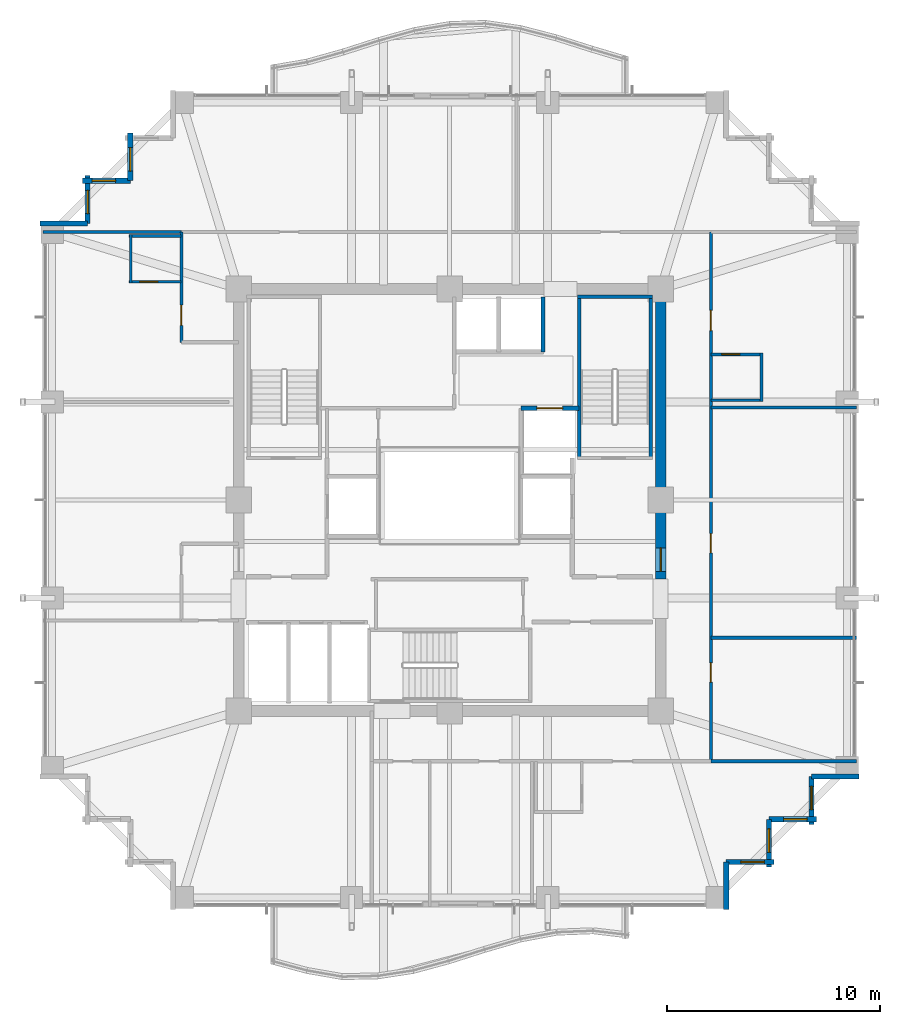
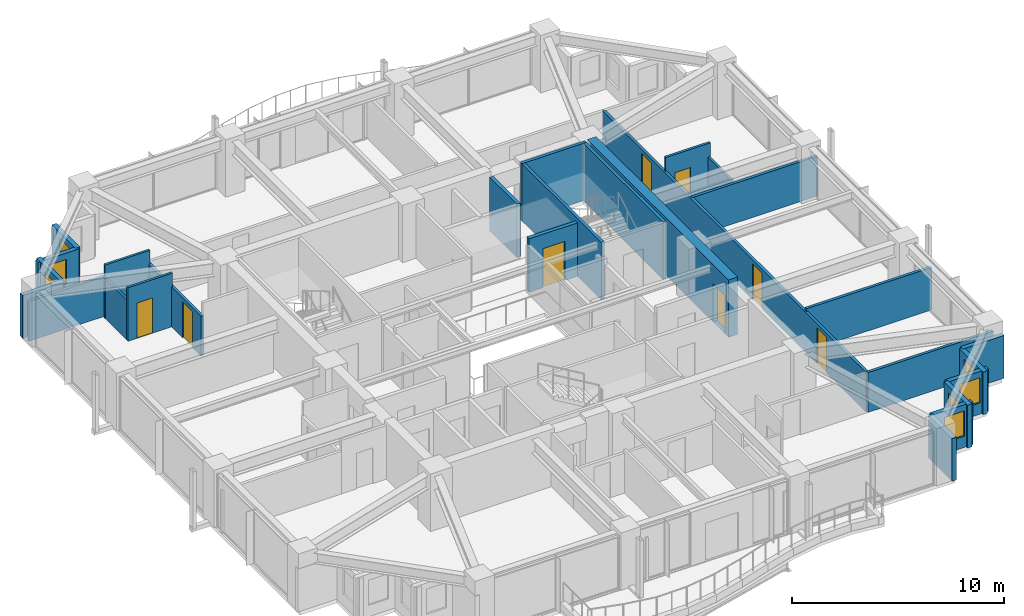
# One storey, part 27 of 31: 28 walls, 8 doors, 7 windows, 15 openings.
"""IFC4 building model written with IfcOpenShell, lengths in metres."""

from ifc_helpers import new_model, si_unit, direction, frame, frame_2d, origin, place, context, subcontext, project, spatial, rectangle, extrude, material, layer, layer_set, type_object, element, fill, save


model = new_model("IFC4")

# Units and contexts
model_context = context("Model", 3, precision=1e-05, world=origin(), true_north=direction((0.0, 1.0)))
body_context = subcontext(model_context, "Body", "Model", "MODEL_VIEW")
ifc_project = project(units=[si_unit("LENGTHUNIT", "METRE"), si_unit("AREAUNIT", "SQUARE_METRE"), si_unit("VOLUMEUNIT", "CUBIC_METRE"), si_unit("PLANEANGLEUNIT", "RADIAN"), si_unit("MASSUNIT", "GRAM", prefix="KILO")], contexts=[model_context])

# Site, building, storey
site_placement = place(None, origin())
site = spatial("IfcSite", under=ifc_project, at=site_placement, CompositionType="ELEMENT")
building_placement = place(site_placement, origin())
building = spatial("IfcBuilding", under=site, at=building_placement, Name="Kolvaren Belvedere", CompositionType="ELEMENT")
storey_placement = place(building_placement, frame((0.0, 0.0, 118.39990234375)))
storey = spatial("IfcBuildingStorey", under=building, at=storey_placement, Name="L34", CompositionType="ELEMENT", Elevation=118.39990234375)

# Wall, opening, door
ifc_material_1 = material(Name="Concrete C50/60", Category="concrete")
ifc_layer_1 = layer(ifc_material_1, 0.5)
ifc_layer_set_1 = layer_set([ifc_layer_1], Name="Concrete C50/60")
wall_type_1 = type_object("IfcWallType", Name="CW-CORE-500", PredefinedType="SHEAR", material=ifc_layer_set_1)
wall_1_placement = place(storey_placement, frame((9.89990234375, -3.699951171875, 0.0), z_axis=(0.0, 0.0, 1.0), x_axis=(0.0, 1.0, 0.0)))
wall_1 = element("IfcWall", 1, at=wall_1_placement, inside=storey, type_object=wall_type_1, Name="L34 East Core Shear Wall 2", PredefinedType="SHEAR", context=body_context, shape_type="SweptSolid", body=[
    extrude(rectangle(XDim=13.349853515625, YDim=0.5, at=frame_2d((6.6748046875, 0.0))), origin(), (0.0, 0.0, 1.0), 3.300048828125),
])
opening_1_placement = place(wall_1_placement, frame((0.35009765625, 0.0, 0.0)))
opening_1 = element("IfcOpeningElement", 2, at=opening_1_placement, cuts=wall_1, Name="Opening D-FD90", PredefinedType="OPENING", context=body_context, shape_type="SweptSolid", body=[
    extrude(rectangle(XDim=1.10009765625, YDim=2.199951171875, at=frame_2d((0.550048828125, 1.10009765625))), frame((0.0, 0.260009765625, 0.0), z_axis=(0.0, -1.0, 0.0), x_axis=(1.0, 0.0, 0.0)), (0.0, 0.0, 1.0), 0.52001953125),
])
ifc_material_2 = material(Name="Painted hollow stainless steel", Category="steel")
door_type_1 = type_object("IfcDoorType", Name="DR-FD90-1100", OperationType="NOTDEFINED", PredefinedType="DOOR", material=ifc_material_2)
door_1_placement = place(opening_1_placement, origin())
door_1 = element("IfcDoor", 3, at=door_1_placement, inside=storey, type_object=door_type_1, Name="L34 East Firefighting Lobby Fire Door", OperationType="SINGLE_SWING_RIGHT", OverallHeight=2.199951171875, OverallWidth=1.10009765625, PredefinedType="DOOR", context=body_context, shape_type="SweptSolid", body=[
    extrude(rectangle(XDim=1.10009765625, YDim=2.199951171875, at=frame_2d((0.550048828125, 1.10009765625))), frame((0.0, 0.02490234375, 0.0), z_axis=(0.0, -1.0, 0.0), x_axis=(1.0, 0.0, 0.0)), (0.0, 0.0, 1.0), 0.050048828125),
])
fill(opening_1, door_1)

# Walls
ifc_material_3 = material(Name="Concrete C50/60", Category="concrete")
ifc_layer_2 = layer(ifc_material_3, 0.159912109375)
ifc_layer_set_2 = layer_set([ifc_layer_2], Name="Concrete C50/60")
wall_type_2 = type_object("IfcWallType", Name="CW-STAIR-160", PredefinedType="SHEAR", material=ifc_layer_set_2)
wall_2_placement = place(storey_placement, frame((6.0, 9.530029296875, 0.0), z_axis=(0.0, 0.0, 1.0), x_axis=(1.0, 0.0, 0.0)))
element("IfcWall", 4, at=wall_2_placement, inside=storey, type_object=wall_type_2, Name="L34 Stair ST-2 North Shear Wall", PredefinedType="SHEAR", context=body_context, shape_type="SweptSolid", body=[
    extrude(rectangle(XDim=3.52001953125, YDim=0.159912109375, at=frame_2d((1.760009765625, 0.0))), origin(), (0.0, 0.0, 1.0), 3.300048828125),
])
for number, where, z_axis, x_axis, name in (
    (5, (6.080078125, 1.969970703125, 0.0), (0.0, 0.0, 1.0), (0.0, 1.0, 0.0), "L34 Stair ST-2 West Shear Wall"),
    (6, (9.429931640625, 1.969970703125, 0.0), (0.0, 0.0, 1.0), (0.0, 1.0, 0.0), "L34 Stair ST-2 East Shear Wall"),
):
    element("IfcWall", number, at=place(storey_placement, frame(where, z_axis=z_axis, x_axis=x_axis)), inside=storey, type_object=wall_type_2, Name=name, PredefinedType="SHEAR", context=body_context, shape_type="SweptSolid", body=[
        extrude(rectangle(XDim=7.56005859375, YDim=0.159912109375, at=frame_2d((3.780029296875, 0.0))), origin(), (0.0, 0.0, 1.0), 3.300048828125),
    ])

# Wall, opening, door
ifc_material_4 = material(Name="Gypsum fire-rated partition assembly", Category="gypsum")
ifc_layer_3 = layer(ifc_material_4, 0.14990234375)
ifc_layer_set_3 = layer_set([ifc_layer_3], Name="Gypsum fire-rated partition assembly")
wall_type_3 = type_object("IfcWallType", Name="WL-CORR-150", PredefinedType="PARTITIONING", material=ifc_layer_set_3)
wall_3_placement = place(storey_placement, frame((-12.580078125, 7.39990234375, 0.0), z_axis=(0.0, 0.0, 1.0), x_axis=(0.0, 1.0, 0.0)))
wall_3 = element("IfcWall", 7, at=wall_3_placement, inside=storey, type_object=wall_type_3, Name="L34 NW Corridor End Wall", PredefinedType="PARTITIONING", context=body_context, shape_type="SweptSolid", body=[
    extrude(rectangle(XDim=5.18017578125, YDim=0.14990234375, at=frame_2d((2.590087890625, 0.0))), origin(), (0.0, 0.0, 1.0), 2.2919921875),
])
opening_2_placement = place(wall_3_placement, frame((0.787109375, 0.0, 0.0)))
opening_2 = element("IfcOpeningElement", 8, at=opening_2_placement, cuts=wall_3, Name="Opening D-FD60", PredefinedType="OPENING", context=body_context, shape_type="SweptSolid", body=[
    extrude(rectangle(XDim=0.949951171875, YDim=2.06005859375, at=frame_2d((0.47509765625, 1.030029296875))), frame((0.0, 0.0849609375, 0.0), z_axis=(0.0, -1.0, 0.0), x_axis=(1.0, 0.0, 0.0)), (0.0, 0.0, 1.0), 0.169921875),
])
ifc_material_5 = material(Name="Acoustic white-oak fire door leaf", Category="timber")
door_type_2 = type_object("IfcDoorType", Name="DR-FD60-950", OperationType="NOTDEFINED", PredefinedType="DOOR", material=ifc_material_5)
door_2_placement = place(opening_2_placement, origin())
door_2 = element("IfcDoor", 9, at=door_2_placement, inside=storey, type_object=door_type_2, Name="L34 Deluxe King Guest Room 3406 Entry Door", OperationType="SINGLE_SWING_RIGHT", OverallHeight=2.06005859375, OverallWidth=0.949951171875, PredefinedType="DOOR", context=body_context, shape_type="SweptSolid", body=[
    extrude(rectangle(XDim=0.949951171875, YDim=2.06005859375, at=frame_2d((0.47509765625, 1.030029296875))), frame((0.0, 0.02490234375, 0.0), z_axis=(0.0, -1.0, 0.0), x_axis=(1.0, 0.0, 0.0)), (0.0, 0.0, 1.0), 0.050048828125),
])
fill(opening_2, door_2)

# Wall, openings, doors
wall_4_placement = place(storey_placement, frame((12.260009765625, -12.260009765625, 0.0), z_axis=(0.0, 0.0, 1.0), x_axis=(0.0, 1.0, 0.0)))
wall_4 = element("IfcWall", 10, at=wall_4_placement, inside=storey, type_object=wall_type_3, Name="L34 East Corridor Wall", PredefinedType="PARTITIONING", context=body_context, shape_type="SweptSolid", body=[
    extrude(rectangle(XDim=24.840087890625, YDim=0.14990234375, at=frame_2d((12.419921875, 0.0))), origin(), (0.0, 0.0, 1.0), 2.2919921875),
])
opening_3_placement = place(wall_4_placement, frame((3.720703125, 0.0, 0.0)))
opening_3 = element("IfcOpeningElement", 11, at=opening_3_placement, cuts=wall_4, Name="Opening D-INT90", PredefinedType="OPENING", context=body_context, shape_type="SweptSolid", body=[
    extrude(rectangle(XDim=0.89990234375, YDim=2.06005859375, at=frame_2d((0.449951171875, 1.030029296875))), frame((0.0, 0.0849609375, 0.0), z_axis=(0.0, -1.0, 0.0), x_axis=(1.0, 0.0, 0.0)), (0.0, 0.0, 1.0), 0.169921875),
])
opening_4_placement = place(wall_4_placement, frame((9.780029296875, 0.0, 0.0)))
opening_4 = element("IfcOpeningElement", 12, at=opening_4_placement, cuts=wall_4, Name="Opening D-INT90", PredefinedType="OPENING", context=body_context, shape_type="SweptSolid", body=[
    extrude(rectangle(XDim=0.89990234375, YDim=2.06005859375, at=frame_2d((0.449951171875, 1.030029296875))), frame((0.0, 0.0849609375, 0.0), z_axis=(0.0, -1.0, 0.0), x_axis=(1.0, 0.0, 0.0)), (0.0, 0.0, 1.0), 0.169921875),
])
opening_5_placement = place(wall_4_placement, frame((20.20947265625, 0.0, 0.0)))
opening_5 = element("IfcOpeningElement", 13, at=opening_5_placement, cuts=wall_4, Name="Opening D-FD60", PredefinedType="OPENING", context=body_context, shape_type="SweptSolid", body=[
    extrude(rectangle(XDim=0.949951171875, YDim=2.06005859375, at=frame_2d((0.47509765625, 1.030029296875))), frame((0.0, 0.0849609375, 0.0), z_axis=(0.0, -1.0, 0.0), x_axis=(1.0, 0.0, 0.0)), (0.0, 0.0, 1.0), 0.169921875),
])
door_3_placement = place(opening_5_placement, origin())
door_3 = element("IfcDoor", 14, at=door_3_placement, inside=storey, type_object=door_type_2, Name="L34 Twin Guest Room 3405 Entry Door", OperationType="SINGLE_SWING_RIGHT", OverallHeight=2.06005859375, OverallWidth=0.949951171875, PredefinedType="DOOR", context=body_context, shape_type="SweptSolid", body=[
    extrude(rectangle(XDim=0.949951171875, YDim=2.06005859375, at=frame_2d((0.47509765625, 1.030029296875))), frame((0.0, 0.02490234375, 0.0), z_axis=(0.0, -1.0, 0.0), x_axis=(1.0, 0.0, 0.0)), (0.0, 0.0, 1.0), 0.050048828125),
])
fill(opening_5, door_3)
ifc_material_6 = material(Name="Stained Pacific white oak", Category="timber")
door_type_3 = type_object("IfcDoorType", Name="DR-INT-900", OperationType="NOTDEFINED", PredefinedType="DOOR", material=ifc_material_6)
door_4_placement = place(opening_3_placement, origin())
door_4 = element("IfcDoor", 15, at=door_4_placement, inside=storey, type_object=door_type_3, Name="L34 Private Hospitality Meeting Room 3403 Door", OperationType="SINGLE_SWING_LEFT", OverallHeight=2.06005859375, OverallWidth=0.89990234375, PredefinedType="DOOR", context=body_context, shape_type="SweptSolid", body=[
    extrude(rectangle(XDim=0.89990234375, YDim=2.06005859375, at=frame_2d((0.449951171875, 1.030029296875))), frame((0.0, 0.02490234375, 0.0), z_axis=(0.0, -1.0, 0.0), x_axis=(1.0, 0.0, 0.0)), (0.0, 0.0, 1.0), 0.050048828125),
])
fill(opening_3, door_4)
door_5_placement = place(opening_4_placement, origin())
door_5 = element("IfcDoor", 16, at=door_5_placement, inside=storey, type_object=door_type_3, Name="L34 Botanical Reading Salon 3404 Door", OperationType="SINGLE_SWING_RIGHT", OverallHeight=2.06005859375, OverallWidth=0.89990234375, PredefinedType="DOOR", context=body_context, shape_type="SweptSolid", body=[
    extrude(rectangle(XDim=0.89990234375, YDim=2.06005859375, at=frame_2d((0.449951171875, 1.030029296875))), frame((0.0, 0.02490234375, 0.0), z_axis=(0.0, -1.0, 0.0), x_axis=(1.0, 0.0, 0.0)), (0.0, 0.0, 1.0), 0.050048828125),
])
fill(opening_4, door_5)

# Wall
ifc_material_7 = material(Name="Insulated pale-metal facade wall assembly", Category="aluminium")
ifc_layer_4 = layer(ifc_material_7, 0.239990234375)
ifc_layer_set_4 = layer_set([ifc_layer_4], Name="Insulated pale-metal facade wall assembly")
wall_type_4 = type_object("IfcWallType", Name="WL-EXT-240", PredefinedType="STANDARD", material=ifc_layer_set_4)
wall_5_placement = place(storey_placement, frame((12.97998046875, -16.97998046875, 0.0), z_axis=(0.0, 0.0, 1.0), x_axis=(0.0, -1.0, 0.0)))
element("IfcWall", 17, at=wall_5_placement, inside=storey, type_object=wall_type_4, Name="L34 Serrated Corner Facade Wall 2", PredefinedType="STANDARD", context=body_context, shape_type="SweptSolid", body=[
    extrude(rectangle(XDim=2.239990234375, YDim=0.239990234375, at=frame_2d((1.1201171875, 0.0))), origin(), (0.0, 0.0, 1.0), 2.458984375),
])

# Wall, opening, window
wall_6_placement = place(storey_placement, frame((15.219970703125, -16.97998046875, 0.0), z_axis=(0.0, 0.0, 1.0), x_axis=(-1.0, 0.0, 0.0)))
wall_6 = element("IfcWall", 18, at=wall_6_placement, inside=storey, type_object=wall_type_4, Name="L34 Serrated Corner Facade Wall 3", PredefinedType="STANDARD", context=body_context, shape_type="SweptSolid", body=[
    extrude(rectangle(XDim=2.239990234375, YDim=0.239990234375, at=frame_2d((1.1201171875, 0.0))), origin(), (0.0, 0.0, 1.0), 2.458984375),
])
opening_6_placement = place(wall_6_placement, frame((0.449951171875, 0.0, 0.64990234375)))
opening_6 = element("IfcOpeningElement", 19, at=opening_6_placement, cuts=wall_6, Name="Opening W-1100", PredefinedType="OPENING", context=body_context, shape_type="SweptSolid", body=[
    extrude(rectangle(XDim=1.10009765625, YDim=1.449951171875, at=frame_2d((0.550048828125, 0.72509765625))), frame((0.0, 0.1298828125, 0.0), z_axis=(0.0, -1.0, 0.0), x_axis=(1.0, 0.0, 0.0)), (0.0, 0.0, 1.0), 0.260009765625),
])
ifc_material_8 = material(Name="Low-iron triple insulated glass", Category="glass")
window_type = type_object("IfcWindowType", Name="WN-CORN-1100", PartitioningType="SINGLE_PANEL", PredefinedType="WINDOW", material=ifc_material_8)
window_1_placement = place(opening_6_placement, origin())
window_1 = element("IfcWindow", 20, at=window_1_placement, inside=storey, type_object=window_type, Name="L34 Serrated Corner Vision Window 3", OverallHeight=1.449951171875, OverallWidth=1.10009765625, PartitioningType="SINGLE_PANEL", PredefinedType="WINDOW", context=body_context, shape_type="SweptSolid", body=[
    extrude(rectangle(XDim=1.10009765625, YDim=1.449951171875, at=frame_2d((0.550048828125, 0.72509765625))), frame((0.0, 0.030029296875, 0.0), z_axis=(0.0, -1.0, 0.0), x_axis=(1.0, 0.0, 0.0)), (0.0, 0.0, 1.0), 0.06005859375),
])
fill(opening_6, window_1)

wall_7_placement = place(storey_placement, frame((14.97998046875, -14.97998046875, 0.0), z_axis=(0.0, 0.0, 1.0), x_axis=(0.0, -1.0, 0.0)))
wall_7 = element("IfcWall", 21, at=wall_7_placement, inside=storey, type_object=wall_type_4, Name="L34 Serrated Corner Facade Wall 4", PredefinedType="STANDARD", context=body_context, shape_type="SweptSolid", body=[
    extrude(rectangle(XDim=2.239990234375, YDim=0.239990234375, at=frame_2d((1.1201171875, 0.0))), origin(), (0.0, 0.0, 1.0), 2.458984375),
])
opening_7_placement = place(wall_7_placement, frame((0.449951171875, 0.0, 0.64990234375)))
opening_7 = element("IfcOpeningElement", 22, at=opening_7_placement, cuts=wall_7, Name="Opening W-1100", PredefinedType="OPENING", context=body_context, shape_type="SweptSolid", body=[
    extrude(rectangle(XDim=1.10009765625, YDim=1.449951171875, at=frame_2d((0.550048828125, 0.72509765625))), frame((0.0, 0.1298828125, 0.0), z_axis=(0.0, -1.0, 0.0), x_axis=(1.0, 0.0, 0.0)), (0.0, 0.0, 1.0), 0.260009765625),
])
window_2_placement = place(opening_7_placement, origin())
window_2 = element("IfcWindow", 23, at=window_2_placement, inside=storey, type_object=window_type, Name="L34 Serrated Corner Vision Window 4", OverallHeight=1.449951171875, OverallWidth=1.10009765625, PartitioningType="SINGLE_PANEL", PredefinedType="WINDOW", context=body_context, shape_type="SweptSolid", body=[
    extrude(rectangle(XDim=1.10009765625, YDim=1.449951171875, at=frame_2d((0.550048828125, 0.72509765625))), frame((0.0, 0.030029296875, 0.0), z_axis=(0.0, -1.0, 0.0), x_axis=(1.0, 0.0, 0.0)), (0.0, 0.0, 1.0), 0.06005859375),
])
fill(opening_7, window_2)

wall_8_placement = place(storey_placement, frame((17.219970703125, -14.97998046875, 0.0), z_axis=(0.0, 0.0, 1.0), x_axis=(-1.0, 0.0, 0.0)))
wall_8 = element("IfcWall", 24, at=wall_8_placement, inside=storey, type_object=wall_type_4, Name="L34 Serrated Corner Facade Wall 5", PredefinedType="STANDARD", context=body_context, shape_type="SweptSolid", body=[
    extrude(rectangle(XDim=2.239990234375, YDim=0.239990234375, at=frame_2d((1.1201171875, 0.0))), origin(), (0.0, 0.0, 1.0), 2.458984375),
])
opening_8_placement = place(wall_8_placement, frame((0.449951171875, 0.0, 0.64990234375)))
opening_8 = element("IfcOpeningElement", 25, at=opening_8_placement, cuts=wall_8, Name="Opening W-1100", PredefinedType="OPENING", context=body_context, shape_type="SweptSolid", body=[
    extrude(rectangle(XDim=1.10009765625, YDim=1.449951171875, at=frame_2d((0.550048828125, 0.72509765625))), frame((0.0, 0.1298828125, 0.0), z_axis=(0.0, -1.0, 0.0), x_axis=(1.0, 0.0, 0.0)), (0.0, 0.0, 1.0), 0.260009765625),
])
window_3_placement = place(opening_8_placement, origin())
window_3 = element("IfcWindow", 26, at=window_3_placement, inside=storey, type_object=window_type, Name="L34 Serrated Corner Vision Window 5", OverallHeight=1.449951171875, OverallWidth=1.10009765625, PartitioningType="SINGLE_PANEL", PredefinedType="WINDOW", context=body_context, shape_type="SweptSolid", body=[
    extrude(rectangle(XDim=1.10009765625, YDim=1.449951171875, at=frame_2d((0.550048828125, 0.72509765625))), frame((0.0, 0.030029296875, 0.0), z_axis=(0.0, -1.0, 0.0), x_axis=(1.0, 0.0, 0.0)), (0.0, 0.0, 1.0), 0.06005859375),
])
fill(opening_8, window_3)

wall_9_placement = place(storey_placement, frame((16.97998046875, -12.97998046875, 0.0), z_axis=(0.0, 0.0, 1.0), x_axis=(0.0, -1.0, 0.0)))
wall_9 = element("IfcWall", 27, at=wall_9_placement, inside=storey, type_object=wall_type_4, Name="L34 Serrated Corner Facade Wall 6", PredefinedType="STANDARD", context=body_context, shape_type="SweptSolid", body=[
    extrude(rectangle(XDim=2.239990234375, YDim=0.239990234375, at=frame_2d((1.1201171875, 0.0))), origin(), (0.0, 0.0, 1.0), 2.458984375),
])
opening_9_placement = place(wall_9_placement, frame((0.449951171875, 0.0, 0.64990234375)))
opening_9 = element("IfcOpeningElement", 28, at=opening_9_placement, cuts=wall_9, Name="Opening W-1100", PredefinedType="OPENING", context=body_context, shape_type="SweptSolid", body=[
    extrude(rectangle(XDim=1.10009765625, YDim=1.449951171875, at=frame_2d((0.550048828125, 0.72509765625))), frame((0.0, 0.1298828125, 0.0), z_axis=(0.0, -1.0, 0.0), x_axis=(1.0, 0.0, 0.0)), (0.0, 0.0, 1.0), 0.260009765625),
])
window_4_placement = place(opening_9_placement, origin())
window_4 = element("IfcWindow", 29, at=window_4_placement, inside=storey, type_object=window_type, Name="L34 Serrated Corner Vision Window 6", OverallHeight=1.449951171875, OverallWidth=1.10009765625, PartitioningType="SINGLE_PANEL", PredefinedType="WINDOW", context=body_context, shape_type="SweptSolid", body=[
    extrude(rectangle(XDim=1.10009765625, YDim=1.449951171875, at=frame_2d((0.550048828125, 0.72509765625))), frame((0.0, 0.030029296875, 0.0), z_axis=(0.0, -1.0, 0.0), x_axis=(1.0, 0.0, 0.0)), (0.0, 0.0, 1.0), 0.06005859375),
])
fill(opening_9, window_4)

# Wall
wall_10_placement = place(storey_placement, frame((19.219970703125, -12.97998046875, 0.0), z_axis=(0.0, 0.0, 1.0), x_axis=(-1.0, 0.0, 0.0)))
element("IfcWall", 30, at=wall_10_placement, inside=storey, type_object=wall_type_4, Name="L34 Serrated Corner Facade Wall 7", PredefinedType="STANDARD", context=body_context, shape_type="SweptSolid", body=[
    extrude(rectangle(XDim=2.239990234375, YDim=0.239990234375, at=frame_2d((1.1201171875, 0.0))), origin(), (0.0, 0.0, 1.0), 2.458984375),
])

# Wall, opening, window
wall_11_placement = place(storey_placement, frame((-14.97998046875, 14.97998046875, 0.0), z_axis=(0.0, 0.0, 1.0), x_axis=(0.0, 1.0, 0.0)))
wall_11 = element("IfcWall", 31, at=wall_11_placement, inside=storey, type_object=wall_type_4, Name="L34 Serrated Corner Facade Wall 18", PredefinedType="STANDARD", context=body_context, shape_type="SweptSolid", body=[
    extrude(rectangle(XDim=2.239990234375, YDim=0.239990234375, at=frame_2d((1.1201171875, 0.0))), origin(), (0.0, 0.0, 1.0), 2.458984375),
])
opening_10_placement = place(wall_11_placement, frame((0.449951171875, 0.0, 0.64990234375)))
opening_10 = element("IfcOpeningElement", 32, at=opening_10_placement, cuts=wall_11, Name="Opening W-1100", PredefinedType="OPENING", context=body_context, shape_type="SweptSolid", body=[
    extrude(rectangle(XDim=1.10009765625, YDim=1.449951171875, at=frame_2d((0.550048828125, 0.72509765625))), frame((0.0, 0.1298828125, 0.0), z_axis=(0.0, -1.0, 0.0), x_axis=(1.0, 0.0, 0.0)), (0.0, 0.0, 1.0), 0.260009765625),
])
window_5_placement = place(opening_10_placement, origin())
window_5 = element("IfcWindow", 33, at=window_5_placement, inside=storey, type_object=window_type, Name="L34 Serrated Corner Vision Window 18", OverallHeight=1.449951171875, OverallWidth=1.10009765625, PartitioningType="SINGLE_PANEL", PredefinedType="WINDOW", context=body_context, shape_type="SweptSolid", body=[
    extrude(rectangle(XDim=1.10009765625, YDim=1.449951171875, at=frame_2d((0.550048828125, 0.72509765625))), frame((0.0, 0.030029296875, 0.0), z_axis=(0.0, -1.0, 0.0), x_axis=(1.0, 0.0, 0.0)), (0.0, 0.0, 1.0), 0.06005859375),
])
fill(opening_10, window_5)

wall_12_placement = place(storey_placement, frame((-17.219970703125, 14.97998046875, 0.0), z_axis=(0.0, 0.0, 1.0), x_axis=(1.0, 0.0, 0.0)))
wall_12 = element("IfcWall", 34, at=wall_12_placement, inside=storey, type_object=wall_type_4, Name="L34 Serrated Corner Facade Wall 19", PredefinedType="STANDARD", context=body_context, shape_type="SweptSolid", body=[
    extrude(rectangle(XDim=2.239990234375, YDim=0.239990234375, at=frame_2d((1.1201171875, 0.0))), origin(), (0.0, 0.0, 1.0), 2.458984375),
])
opening_11_placement = place(wall_12_placement, frame((0.449951171875, 0.0, 0.64990234375)))
opening_11 = element("IfcOpeningElement", 35, at=opening_11_placement, cuts=wall_12, Name="Opening W-1100", PredefinedType="OPENING", context=body_context, shape_type="SweptSolid", body=[
    extrude(rectangle(XDim=1.10009765625, YDim=1.449951171875, at=frame_2d((0.550048828125, 0.72509765625))), frame((0.0, 0.1298828125, 0.0), z_axis=(0.0, -1.0, 0.0), x_axis=(1.0, 0.0, 0.0)), (0.0, 0.0, 1.0), 0.260009765625),
])
window_6_placement = place(opening_11_placement, origin())
window_6 = element("IfcWindow", 36, at=window_6_placement, inside=storey, type_object=window_type, Name="L34 Serrated Corner Vision Window 19", OverallHeight=1.449951171875, OverallWidth=1.10009765625, PartitioningType="SINGLE_PANEL", PredefinedType="WINDOW", context=body_context, shape_type="SweptSolid", body=[
    extrude(rectangle(XDim=1.10009765625, YDim=1.449951171875, at=frame_2d((0.550048828125, 0.72509765625))), frame((0.0, 0.030029296875, 0.0), z_axis=(0.0, -1.0, 0.0), x_axis=(1.0, 0.0, 0.0)), (0.0, 0.0, 1.0), 0.06005859375),
])
fill(opening_11, window_6)

wall_13_placement = place(storey_placement, frame((-16.97998046875, 12.97998046875, 0.0), z_axis=(0.0, 0.0, 1.0), x_axis=(0.0, 1.0, 0.0)))
wall_13 = element("IfcWall", 37, at=wall_13_placement, inside=storey, type_object=wall_type_4, Name="L34 Serrated Corner Facade Wall 20", PredefinedType="STANDARD", context=body_context, shape_type="SweptSolid", body=[
    extrude(rectangle(XDim=2.239990234375, YDim=0.239990234375, at=frame_2d((1.1201171875, 0.0))), origin(), (0.0, 0.0, 1.0), 2.458984375),
])
opening_12_placement = place(wall_13_placement, frame((0.449951171875, 0.0, 0.64990234375)))
opening_12 = element("IfcOpeningElement", 38, at=opening_12_placement, cuts=wall_13, Name="Opening W-1100", PredefinedType="OPENING", context=body_context, shape_type="SweptSolid", body=[
    extrude(rectangle(XDim=1.10009765625, YDim=1.449951171875, at=frame_2d((0.550048828125, 0.72509765625))), frame((0.0, 0.1298828125, 0.0), z_axis=(0.0, -1.0, 0.0), x_axis=(1.0, 0.0, 0.0)), (0.0, 0.0, 1.0), 0.260009765625),
])
window_7_placement = place(opening_12_placement, origin())
window_7 = element("IfcWindow", 39, at=window_7_placement, inside=storey, type_object=window_type, Name="L34 Serrated Corner Vision Window 20", OverallHeight=1.449951171875, OverallWidth=1.10009765625, PartitioningType="SINGLE_PANEL", PredefinedType="WINDOW", context=body_context, shape_type="SweptSolid", body=[
    extrude(rectangle(XDim=1.10009765625, YDim=1.449951171875, at=frame_2d((0.550048828125, 0.72509765625))), frame((0.0, 0.030029296875, 0.0), z_axis=(0.0, -1.0, 0.0), x_axis=(1.0, 0.0, 0.0)), (0.0, 0.0, 1.0), 0.06005859375),
])
fill(opening_12, window_7)

# Walls
wall_14_placement = place(storey_placement, frame((-19.219970703125, 12.97998046875, 0.0), z_axis=(0.0, 0.0, 1.0), x_axis=(1.0, 0.0, 0.0)))
element("IfcWall", 40, at=wall_14_placement, inside=storey, type_object=wall_type_4, Name="L34 Serrated Corner Facade Wall 21", PredefinedType="STANDARD", context=body_context, shape_type="SweptSolid", body=[
    extrude(rectangle(XDim=2.239990234375, YDim=0.239990234375, at=frame_2d((1.1201171875, 0.0))), origin(), (0.0, 0.0, 1.0), 2.458984375),
])
ifc_material_9 = material(Name="Gypsum acoustic partition assembly", Category="gypsum")
ifc_layer_5 = layer(ifc_material_9, 0.14990234375)
ifc_layer_set_5 = layer_set([ifc_layer_5], Name="Gypsum acoustic partition assembly")
wall_type_5 = type_object("IfcWallType", Name="WL-PART-150", PredefinedType="PARTITIONING", material=ifc_layer_set_5)
wall_15_placement = place(storey_placement, frame((12.260009765625, -12.260009765625, 0.0), z_axis=(0.0, 0.0, 1.0), x_axis=(1.0, 0.0, 0.0)))
element("IfcWall", 41, at=wall_15_placement, inside=storey, type_object=wall_type_5, Name="L34 Wing Divider PW-L34-QSE", PredefinedType="PARTITIONING", context=body_context, shape_type="SweptSolid", body=[
    extrude(rectangle(XDim=6.820068359375, YDim=0.14990234375, at=frame_2d((3.41015625, 0.0))), origin(), (0.0, 0.0, 1.0), 2.2919921875),
])
wall_16_placement = place(storey_placement, frame((-19.080078125, 12.580078125, 0.0), z_axis=(0.0, 0.0, 1.0), x_axis=(1.0, 0.0, 0.0)))
element("IfcWall", 42, at=wall_16_placement, inside=storey, type_object=wall_type_5, Name="L34 Wing Divider PW-L34-QNW", PredefinedType="PARTITIONING", context=body_context, shape_type="SweptSolid", body=[
    extrude(rectangle(XDim=6.5, YDim=0.14990234375, at=frame_2d((3.25, 0.0))), origin(), (0.0, 0.0, 1.0), 2.2919921875),
])
wall_17_placement = place(storey_placement, frame((12.260009765625, -6.4599609375, 0.0), z_axis=(0.0, 0.0, 1.0), x_axis=(1.0, 0.0, 0.0)))
element("IfcWall", 43, at=wall_17_placement, inside=storey, type_object=wall_type_5, Name="L34 East Suite Demising Wall 1", PredefinedType="PARTITIONING", context=body_context, shape_type="SweptSolid", body=[
    extrude(rectangle(XDim=6.820068359375, YDim=0.14990234375, at=frame_2d((3.41015625, 0.0))), origin(), (0.0, 0.0, 1.0), 2.44921875),
])
wall_18_placement = place(storey_placement, frame((12.260009765625, 4.340087890625, 0.0), z_axis=(0.0, 0.0, 1.0), x_axis=(1.0, 0.0, 0.0)))
element("IfcWall", 44, at=wall_18_placement, inside=storey, type_object=wall_type_5, Name="L34 East Suite Demising Wall 2", PredefinedType="PARTITIONING", context=body_context, shape_type="SweptSolid", body=[
    extrude(rectangle(XDim=6.820068359375, YDim=0.14990234375, at=frame_2d((3.41015625, 0.0))), origin(), (0.0, 0.0, 1.0), 2.2919921875),
])

# Wall, opening, door
ifc_material_10 = material(Name="Concrete C50/60", Category="concrete")
ifc_layer_6 = layer(ifc_material_10, 0.199951171875)
ifc_layer_set_6 = layer_set([ifc_layer_6], Name="Concrete C50/60")
wall_type_6 = type_object("IfcWallType", Name="WL-SHAFT-200", PredefinedType="SOLIDWALL", material=ifc_layer_set_6)
wall_19_placement = place(storey_placement, frame((3.35009765625, 4.300048828125, 0.0), z_axis=(0.0, 0.0, 1.0), x_axis=(1.0, 0.0, 0.0)))
wall_19 = element("IfcWall", 45, at=wall_19_placement, inside=storey, type_object=wall_type_6, Name="L34 Service Lift SV1 Front Wall", PredefinedType="SOLIDWALL", context=body_context, shape_type="SweptSolid", body=[
    extrude(rectangle(XDim=2.72998046875, YDim=0.199951171875, at=frame_2d((1.364990234375, 0.0))), origin(), (0.0, 0.0, 1.0), 3.080078125),
])
opening_13_placement = place(wall_19_placement, frame((0.75, 0.0, 0.0)))
opening_13 = element("IfcOpeningElement", 46, at=opening_13_placement, cuts=wall_19, Name="Opening LD-12", PredefinedType="OPENING", context=body_context, shape_type="SweptSolid", body=[
    extrude(rectangle(XDim=1.199951171875, YDim=2.25, at=frame_2d((0.60009765625, 1.125))), frame((0.0, 0.10986328125, 0.0), z_axis=(0.0, -1.0, 0.0), x_axis=(1.0, 0.0, 0.0)), (0.0, 0.0, 1.0), 0.219970703125),
])
ifc_material_11 = material(Name="Brushed stainless steel", Category="steel")
door_type_4 = type_object("IfcDoorType", Name="DR-LIFT-1200", OperationType="DOUBLE_DOOR_SLIDING", PredefinedType="DOOR", material=ifc_material_11)
door_6_placement = place(opening_13_placement, origin())
door_6 = element("IfcDoor", 47, at=door_6_placement, inside=storey, type_object=door_type_4, Name="L34 Service Lift SV1 Landing Door", OperationType="DOUBLE_DOOR_SLIDING", OverallHeight=2.25, OverallWidth=1.199951171875, PredefinedType="DOOR", context=body_context, shape_type="SweptSolid", body=[
    extrude(rectangle(XDim=1.199951171875, YDim=2.25, at=frame_2d((0.60009765625, 1.125))), frame((0.0, 0.02490234375, 0.0), z_axis=(0.0, -1.0, 0.0), x_axis=(1.0, 0.0, 0.0)), (0.0, 0.0, 1.0), 0.050048828125),
])
fill(opening_13, door_6)

# Wall
wall_20_placement = place(storey_placement, frame((4.3798828125, 6.949951171875, 0.0), z_axis=(0.0, 0.0, 1.0), x_axis=(0.0, 1.0, 0.0)))
element("IfcWall", 48, at=wall_20_placement, inside=storey, type_object=wall_type_6, Name="L34 Express Shuttle East Wall", PredefinedType="SOLIDWALL", context=body_context, shape_type="SweptSolid", body=[
    extrude(rectangle(XDim=2.570068359375, YDim=0.199951171875, at=frame_2d((1.28515625, 0.0))), origin(), (0.0, 0.0, 1.0), 3.080078125),
])

# Wall, opening, door
ifc_material_12 = material(Name="Moisture-resistant gypsum partition", Category="gypsum")
ifc_layer_7 = layer(ifc_material_12, 0.125)
ifc_layer_set_7 = layer_set([ifc_layer_7], Name="Moisture-resistant gypsum partition")
wall_type_7 = type_object("IfcWallType", Name="WL-WET-125", PredefinedType="PARTITIONING", material=ifc_layer_set_7)
wall_21_placement = place(storey_placement, frame((12.27490234375, 6.8291015625, 0.0), z_axis=(0.0, 0.0, 1.0), x_axis=(1.0, 0.0, 0.0)))
wall_21 = element("IfcWall", 49, at=wall_21_placement, inside=storey, type_object=wall_type_7, Name="L34 Bathroom Partition PW-L34-BTH-5-N", PredefinedType="PARTITIONING", context=body_context, shape_type="SweptSolid", body=[
    extrude(rectangle(XDim=2.440185546875, YDim=0.125, at=frame_2d((1.22021484375, 0.0))), origin(), (0.0, 0.0, 1.0), 3.080078125),
])
opening_14_placement = place(wall_21_placement, frame((0.5, 0.0, 0.0)))
opening_14 = element("IfcOpeningElement", 50, at=opening_14_placement, cuts=wall_21, Name="Opening D-BTH85", PredefinedType="OPENING", context=body_context, shape_type="SweptSolid", body=[
    extrude(rectangle(XDim=0.85009765625, YDim=2.030029296875, at=frame_2d((0.425048828125, 1.01513671875))), frame((0.0, 0.072509765625, 0.0), z_axis=(0.0, -1.0, 0.0), x_axis=(1.0, 0.0, 0.0)), (0.0, 0.0, 1.0), 0.14501953125),
])
ifc_material_13 = material(Name="Moisture-sealed Pacific white oak", Category="timber")
door_type_5 = type_object("IfcDoorType", Name="DR-BATH-850", OperationType="NOTDEFINED", PredefinedType="DOOR", material=ifc_material_13)
door_7_placement = place(opening_14_placement, origin())
door_7 = element("IfcDoor", 51, at=door_7_placement, inside=storey, type_object=door_type_5, Name="L34 En-Suite Bathroom 3405 Door", OperationType="SINGLE_SWING_LEFT", OverallHeight=2.030029296875, OverallWidth=0.85009765625, PredefinedType="DOOR", context=body_context, shape_type="SweptSolid", body=[
    extrude(rectangle(XDim=0.85009765625, YDim=2.030029296875, at=frame_2d((0.425048828125, 1.01513671875))), frame((0.0, 0.02490234375, 0.0), z_axis=(0.0, -1.0, 0.0), x_axis=(1.0, 0.0, 0.0)), (0.0, 0.0, 1.0), 0.050048828125),
])
fill(opening_14, door_7)

# Walls
wall_22_placement = place(storey_placement, frame((14.635009765625, 4.618896484375, 0.0), z_axis=(0.0, 0.0, 1.0), x_axis=(0.0, 1.0, 0.0)))
element("IfcWall", 52, at=wall_22_placement, inside=storey, type_object=wall_type_7, Name="L34 Bathroom Partition PW-L34-BTH-5-V", PredefinedType="PARTITIONING", context=body_context, shape_type="SweptSolid", body=[
    extrude(rectangle(XDim=2.27001953125, YDim=0.125, at=frame_2d((1.135009765625, 0.0))), origin(), (0.0, 0.0, 1.0), 2.2919921875),
])
wall_23_placement = place(storey_placement, frame((12.27490234375, 4.678955078125, 0.0), z_axis=(0.0, 0.0, 1.0), x_axis=(1.0, 0.0, 0.0)))
element("IfcWall", 53, at=wall_23_placement, inside=storey, type_object=wall_type_7, Name="L34 Bathroom Partition PW-L34-BTH-5-S", PredefinedType="PARTITIONING", context=body_context, shape_type="SweptSolid", body=[
    extrude(rectangle(XDim=2.440185546875, YDim=0.125, at=frame_2d((1.22021484375, 0.0))), origin(), (0.0, 0.0, 1.0), 2.2919921875),
])

# Wall, opening, door
wall_24_placement = place(storey_placement, frame((-15.034912109375, 10.235107421875, 0.0), z_axis=(0.0, 0.0, 1.0), x_axis=(1.0, 0.0, 0.0)))
wall_24 = element("IfcWall", 54, at=wall_24_placement, inside=storey, type_object=wall_type_7, Name="L34 Bathroom Partition PW-L34-BTH-6-N", PredefinedType="PARTITIONING", context=body_context, shape_type="SweptSolid", body=[
    extrude(rectangle(XDim=2.43994140625, YDim=0.125, at=frame_2d((1.219970703125, 0.0))), origin(), (0.0, 0.0, 1.0), 3.080078125),
])
opening_15_placement = place(wall_24_placement, frame((0.5, 0.0, 0.0)))
opening_15 = element("IfcOpeningElement", 55, at=opening_15_placement, cuts=wall_24, Name="Opening D-BTH85", PredefinedType="OPENING", context=body_context, shape_type="SweptSolid", body=[
    extrude(rectangle(XDim=0.85009765625, YDim=2.030029296875, at=frame_2d((0.425048828125, 1.01513671875))), frame((0.0, 0.072509765625, 0.0), z_axis=(0.0, -1.0, 0.0), x_axis=(1.0, 0.0, 0.0)), (0.0, 0.0, 1.0), 0.14501953125),
])
door_8_placement = place(opening_15_placement, origin())
door_8 = element("IfcDoor", 56, at=door_8_placement, inside=storey, type_object=door_type_5, Name="L34 En-Suite Bathroom 3406 Door", OperationType="SINGLE_SWING_LEFT", OverallHeight=2.030029296875, OverallWidth=0.85009765625, PredefinedType="DOOR", context=body_context, shape_type="SweptSolid", body=[
    extrude(rectangle(XDim=0.85009765625, YDim=2.030029296875, at=frame_2d((0.425048828125, 1.01513671875))), frame((0.0, 0.02490234375, 0.0), z_axis=(0.0, -1.0, 0.0), x_axis=(1.0, 0.0, 0.0)), (0.0, 0.0, 1.0), 0.050048828125),
])
fill(opening_15, door_8)

# Walls
wall_25_placement = place(storey_placement, frame((-14.955078125, 10.175048828125, 0.0), z_axis=(0.0, 0.0, 1.0), x_axis=(0.0, 1.0, 0.0)))
element("IfcWall", 57, at=wall_25_placement, inside=storey, type_object=wall_type_7, Name="L34 Bathroom Partition PW-L34-BTH-6-V", PredefinedType="PARTITIONING", context=body_context, shape_type="SweptSolid", body=[
    extrude(rectangle(XDim=2.27001953125, YDim=0.125, at=frame_2d((1.135009765625, 0.0))), origin(), (0.0, 0.0, 1.0), 2.2919921875),
])
wall_26_placement = place(storey_placement, frame((-15.034912109375, 12.385009765625, 0.0), z_axis=(0.0, 0.0, 1.0), x_axis=(1.0, 0.0, 0.0)))
element("IfcWall", 58, at=wall_26_placement, inside=storey, type_object=wall_type_7, Name="L34 Bathroom Partition PW-L34-BTH-6-S", PredefinedType="PARTITIONING", context=body_context, shape_type="SweptSolid", body=[
    extrude(rectangle(XDim=2.43994140625, YDim=0.125, at=frame_2d((1.219970703125, 0.0))), origin(), (0.0, 0.0, 1.0), 3.080078125),
])

save(model, "model.ifc")
